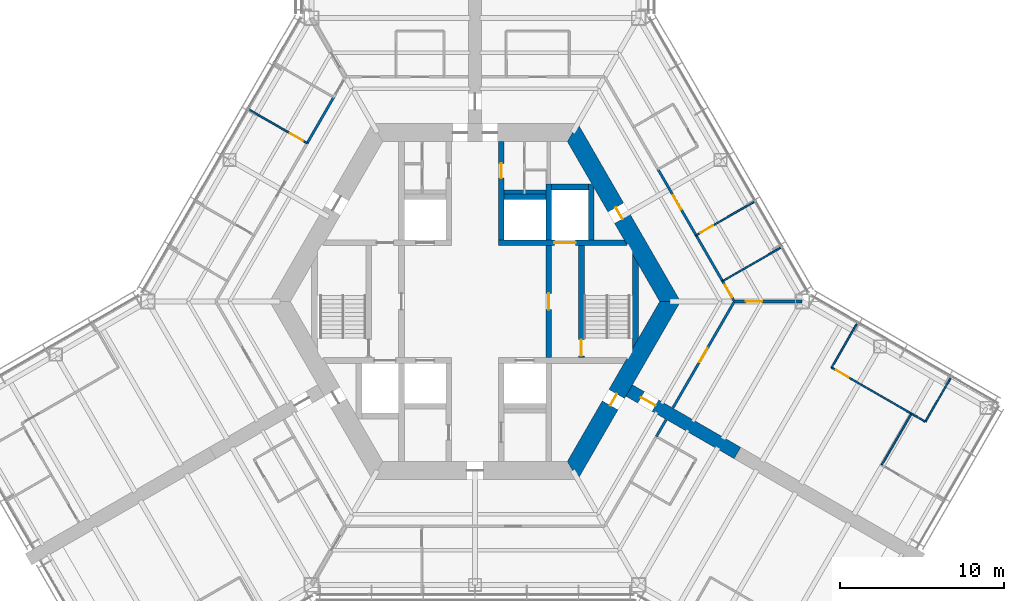
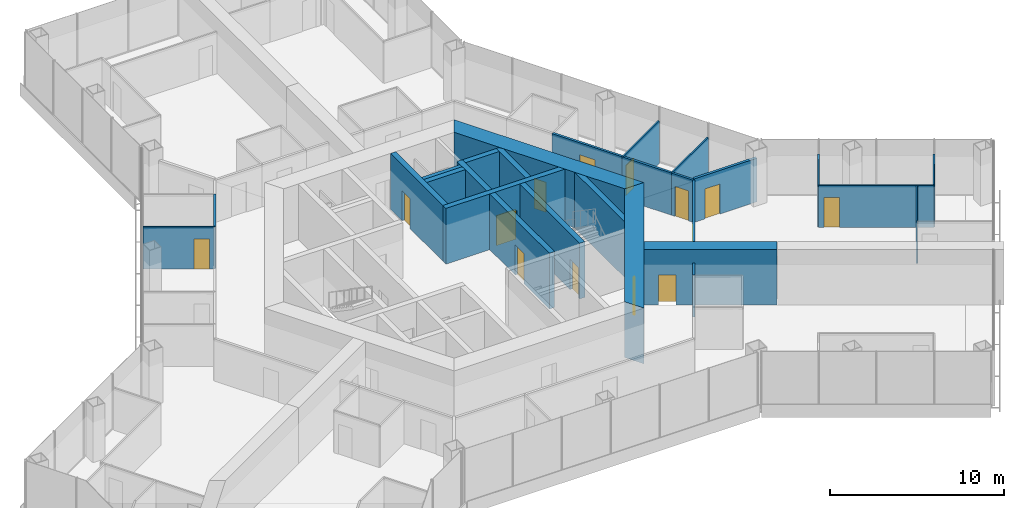
# One storey, part 14 of 19: 28 walls, 14 doors, 14 openings.
"""IFC4 building model written with IfcOpenShell, lengths in metres."""

from ifc_helpers import new_model, si_unit, direction, frame, frame_2d, origin, place, context, subcontext, project, spatial, polyline, rectangle, outline, extrude, material, layer, layer_set, type_object, element, fill, save


model = new_model("IFC4")

# Units and contexts
model_context = context("Model", 3, precision=1e-05, world=origin(), true_north=direction((0.0, 1.0)))
body_context = subcontext(model_context, "Body", "Model", "MODEL_VIEW")
ifc_project = project(units=[si_unit("LENGTHUNIT", "METRE"), si_unit("AREAUNIT", "SQUARE_METRE"), si_unit("VOLUMEUNIT", "CUBIC_METRE"), si_unit("PLANEANGLEUNIT", "RADIAN"), si_unit("MASSUNIT", "GRAM", prefix="KILO")], contexts=[model_context])

# Site, building, storey
site_placement = place(None, origin())
site = spatial("IfcSite", under=ifc_project, at=site_placement, CompositionType="ELEMENT")
building_placement = place(site_placement, origin())
building = spatial("IfcBuilding", under=site, at=building_placement, Name="Kasaneha Research Tower", CompositionType="ELEMENT")
storey_placement = place(building_placement, frame((0.0, 0.0, 96.300048828125)))
storey = spatial("IfcBuildingStorey", under=building, at=storey_placement, Name="L24", CompositionType="ELEMENT", Elevation=96.300048828125)

# Wall, opening, door
ifc_material_1 = material(Name="Concrete Fc80", Category="concrete")
ifc_layer_1 = layer(ifc_material_1, 0.35009765625)
ifc_layer_set_1 = layer_set([ifc_layer_1], Name="Core internal wall 350 Fc80")
wall_type_1 = type_object("IfcWallType", Name="Core internal wall 350 Fc80", PredefinedType="SHEAR", material=ifc_layer_set_1)
wall_1_placement = place(storey_placement, frame((1.425048828125, 3.60009765625, 0.0), z_axis=(0.0, 0.0, 1.0), x_axis=(1.0, 0.0, 0.0)))
wall_1 = element("IfcWall", 1, at=wall_1_placement, inside=storey, type_object=wall_type_1, Name="Core wall W1E L24", PredefinedType="SHEAR", context=body_context, shape_type="SweptSolid", body=[
    extrude(outline(polyline([(0.0, -0.175048828125), (3.425048828125, -0.175048828125), (4.72509765625, -0.175048828125), (7.884765625, -0.175048828125), (7.6826171875, 0.175048828125), (4.72509765625, 0.175048828125), (3.425048828125, 0.175048828125), (0.0, 0.175048828125), (0.0, -0.175048828125)])), origin(), (0.0, 0.0, 1.0), 3.89990234375),
])
opening_1_placement = place(wall_1_placement, frame((3.425048828125, 0.0, 0.0)))
opening_1 = element("IfcOpeningElement", 2, at=opening_1_placement, cuts=wall_1, Name="Opening LD-FL1-L24", PredefinedType="OPENING", context=body_context, shape_type="SweptSolid", body=[
    extrude(rectangle(XDim=1.300048828125, YDim=2.10009765625, at=frame_2d((0.64990234375, 1.050048828125))), frame((0.0, 0.18505859375, 0.0), z_axis=(0.0, -1.0, 0.0), x_axis=(1.0, 0.0, 0.0)), (0.0, 0.0, 1.0), 0.3701171875),
])
ifc_material_2 = material(Name="Steel", Category="steel")
door_type_1 = type_object("IfcDoorType", Name="Lift landing door 1300x2100", OperationType="DOUBLE_DOOR_SLIDING", PredefinedType="DOOR", material=ifc_material_2)
door_1_placement = place(opening_1_placement, origin())
door_1 = element("IfcDoor", 3, at=door_1_placement, inside=storey, type_object=door_type_1, Name="Landing door FL1 LD-FL1-L24", OperationType="DOUBLE_DOOR_SLIDING", OverallHeight=2.10009765625, OverallWidth=1.300048828125, PredefinedType="DOOR", context=body_context, shape_type="SweptSolid", body=[
    extrude(rectangle(XDim=1.300048828125, YDim=2.10009765625, at=frame_2d((0.64990234375, 1.050048828125))), frame((0.0, 0.02490234375, 0.0), z_axis=(0.0, -1.0, 0.0), x_axis=(1.0, 0.0, 0.0)), (0.0, 0.0, 1.0), 0.050048828125),
])
fill(opening_1, door_1)

wall_2_placement = place(storey_placement, frame((1.60009765625, 3.77490234375, 0.0), z_axis=(0.0, 0.0, 1.0), x_axis=(0.0, 1.0, 0.0)))
wall_2 = element("IfcWall", 4, at=wall_2_placement, inside=storey, type_object=wall_type_1, Name="Core wall CNE L24", PredefinedType="SHEAR", context=body_context, shape_type="SweptSolid", body=[
    extrude(rectangle(XDim=6.0, YDim=0.35009765625, at=frame_2d((3.0, 0.0))), origin(), (0.0, 0.0, 1.0), 3.89990234375),
])
opening_2_placement = place(wall_2_placement, frame((3.77490234375, 0.0, 0.0)))
opening_2 = element("IfcOpeningElement", 5, at=opening_2_placement, cuts=wall_2, Name="Opening L24-D14", PredefinedType="OPENING", context=body_context, shape_type="SweptSolid", body=[
    extrude(rectangle(XDim=0.89990234375, YDim=2.10009765625, at=frame_2d((0.449951171875, 1.050048828125))), frame((0.0, 0.18505859375, 0.0), z_axis=(0.0, -1.0, 0.0), x_axis=(1.0, 0.0, 0.0)), (0.0, 0.0, 1.0), 0.3701171875),
])
ifc_material_3 = material(Name="Steel", Category="steel")
door_type_2 = type_object("IfcDoorType", Name="Toilet door FD20 900x2100", OperationType="NOTDEFINED", PredefinedType="DOOR", material=ifc_material_3)
door_2_placement = place(opening_2_placement, origin())
door_2 = element("IfcDoor", 6, at=door_2_placement, inside=storey, type_object=door_type_2, Name="Women's WC door L24-D14", OperationType="SINGLE_SWING_LEFT", OverallHeight=2.10009765625, OverallWidth=0.89990234375, PredefinedType="DOOR", context=body_context, shape_type="SweptSolid", body=[
    extrude(rectangle(XDim=0.89990234375, YDim=2.10009765625, at=frame_2d((0.449951171875, 1.050048828125))), frame((0.0, 0.02490234375, 0.0), z_axis=(0.0, -1.0, 0.0), x_axis=(1.0, 0.0, 0.0)), (0.0, 0.0, 1.0), 0.050048828125),
])
fill(opening_2, door_2)

wall_3_placement = place(storey_placement, frame((4.5, -3.425048828125, 0.0), z_axis=(0.0, 0.0, 1.0), x_axis=(0.0, 1.0, 0.0)))
wall_3 = element("IfcWall", 7, at=wall_3_placement, inside=storey, type_object=wall_type_1, Name="Core wall LBE L24", PredefinedType="SHEAR", context=body_context, shape_type="SweptSolid", body=[
    extrude(rectangle(XDim=6.85009765625, YDim=0.35009765625, at=frame_2d((3.425048828125, 0.0))), origin(), (0.0, 0.0, 1.0), 3.89990234375),
])
opening_3_placement = place(wall_3_placement, frame((2.925048828125, 0.0, 0.0)))
opening_3 = element("IfcOpeningElement", 8, at=opening_3_placement, cuts=wall_3, Name="Opening L24-D08", PredefinedType="OPENING", context=body_context, shape_type="SweptSolid", body=[
    extrude(rectangle(XDim=1.0, YDim=2.10009765625, at=frame_2d((0.5, 1.050048828125))), frame((0.0, 0.18505859375, 0.0), z_axis=(0.0, -1.0, 0.0), x_axis=(1.0, 0.0, 0.0)), (0.0, 0.0, 1.0), 0.3701171875),
])
ifc_material_4 = material(Name="Steel", Category="steel")
door_type_3 = type_object("IfcDoorType", Name="Specified fire door FD60 1000x2100", OperationType="NOTDEFINED", PredefinedType="DOOR", material=ifc_material_4)
door_3_placement = place(opening_3_placement, origin())
door_3 = element("IfcDoor", 9, at=door_3_placement, inside=storey, type_object=door_type_3, Name="Lift lobby door east L24-D08", OperationType="SINGLE_SWING_LEFT", OverallHeight=2.10009765625, OverallWidth=1.0, PredefinedType="DOOR", context=body_context, shape_type="SweptSolid", body=[
    extrude(rectangle(XDim=1.0, YDim=2.10009765625, at=frame_2d((0.5, 1.050048828125))), frame((0.0, 0.02490234375, 0.0), z_axis=(0.0, -1.0, 0.0), x_axis=(1.0, 0.0, 0.0)), (0.0, 0.0, 1.0), 0.050048828125),
])
fill(opening_3, door_3)

wall_4_placement = place(storey_placement, frame((6.5, -3.425048828125, 0.0), z_axis=(0.0, 0.0, 1.0), x_axis=(0.0, 1.0, 0.0)))
wall_4 = element("IfcWall", 10, at=wall_4_placement, inside=storey, type_object=wall_type_1, Name="Core wall ANE L24", PredefinedType="SHEAR", context=body_context, shape_type="SweptSolid", body=[
    extrude(rectangle(XDim=6.85009765625, YDim=0.35009765625, at=frame_2d((3.425048828125, 0.0))), origin(), (0.0, 0.0, 1.0), 3.89990234375),
])
opening_4_placement = place(wall_4_placement, frame((0.10009765625, 0.0, 0.0)))
opening_4 = element("IfcOpeningElement", 11, at=opening_4_placement, cuts=wall_4, Name="Opening L24-D10", PredefinedType="OPENING", context=body_context, shape_type="SweptSolid", body=[
    extrude(rectangle(XDim=1.0, YDim=2.10009765625, at=frame_2d((0.5, 1.050048828125))), frame((0.0, 0.18505859375, 0.0), z_axis=(0.0, -1.0, 0.0), x_axis=(1.0, 0.0, 0.0)), (0.0, 0.0, 1.0), 0.3701171875),
])
door_4_placement = place(opening_4_placement, origin())
door_4 = element("IfcDoor", 12, at=door_4_placement, inside=storey, type_object=door_type_3, Name="Stair 1 door L24-D10", OperationType="SINGLE_SWING_LEFT", OverallHeight=2.10009765625, OverallWidth=1.0, PredefinedType="DOOR", context=body_context, shape_type="SweptSolid", body=[
    extrude(rectangle(XDim=1.0, YDim=2.10009765625, at=frame_2d((0.5, 1.050048828125))), frame((0.0, 0.02490234375, 0.0), z_axis=(0.0, -1.0, 0.0), x_axis=(1.0, 0.0, 0.0)), (0.0, 0.0, 1.0), 0.050048828125),
])
fill(opening_4, door_4)

# Walls
wall_5_placement = place(storey_placement, frame((4.5, 3.77490234375, 0.0), z_axis=(0.0, 0.0, 1.0), x_axis=(0.0, 1.0, 0.0)))
element("IfcWall", 13, at=wall_5_placement, inside=storey, type_object=wall_type_1, Name="Core wall FNE L24", PredefinedType="SHEAR", context=body_context, shape_type="SweptSolid", body=[
    extrude(rectangle(XDim=3.400146484375, YDim=0.35009765625, at=frame_2d((1.7001953125, 0.0))), origin(), (0.0, 0.0, 1.0), 3.89990234375),
])
wall_6_placement = place(storey_placement, frame((1.77490234375, 6.39990234375, 0.0), z_axis=(0.0, 0.0, 1.0), x_axis=(1.0, 0.0, 0.0)))
element("IfcWall", 14, at=wall_6_placement, inside=storey, type_object=wall_type_1, Name="Core wall N3N L24", PredefinedType="SHEAR", context=body_context, shape_type="SweptSolid", body=[
    extrude(rectangle(XDim=2.550048828125, YDim=0.35009765625, at=frame_2d((1.27490234375, 0.0))), origin(), (0.0, 0.0, 1.0), 3.89990234375),
])
wall_7_placement = place(storey_placement, frame((4.675048828125, 7.0, 0.0), z_axis=(0.0, 0.0, 1.0), x_axis=(1.0, 0.0, 0.0)))
element("IfcWall", 15, at=wall_7_placement, inside=storey, type_object=wall_type_1, Name="Core wall F1N L24", PredefinedType="SHEAR", context=body_context, shape_type="SweptSolid", body=[
    extrude(rectangle(XDim=2.25, YDim=0.35009765625, at=frame_2d((1.125, 0.0))), origin(), (0.0, 0.0, 1.0), 3.89990234375),
])
wall_8_placement = place(storey_placement, frame((7.10009765625, 3.77490234375, 0.0), z_axis=(0.0, 0.0, 1.0), x_axis=(0.0, 1.0, 0.0)))
element("IfcWall", 16, at=wall_8_placement, inside=storey, type_object=wall_type_1, Name="Core wall F1E L24", PredefinedType="SHEAR", context=body_context, shape_type="SweptSolid", body=[
    extrude(outline(polyline([(0.0, -0.175048828125), (3.174560546875, -0.175048828125), (3.400146484375, 0.0), (3.400146484375, 0.175048828125), (0.0, 0.175048828125), (0.0, -0.175048828125)])), origin(), (0.0, 0.0, 1.0), 3.89990234375),
])
wall_9_placement = place(storey_placement, frame((9.807861328125, -2.562255859375, 0.0), z_axis=(0.0, 0.0, 1.0), x_axis=(0.0, 1.0, 0.0)))
element("IfcWall", 17, at=wall_9_placement, inside=storey, type_object=wall_type_1, Name="Core wall STE L24", PredefinedType="SHEAR", context=body_context, shape_type="SweptSolid", body=[
    extrude(outline(polyline([(0.30322265625, -0.175048828125), (4.8212890625, -0.175048828125), (5.427734375, 0.175048828125), (-0.30322265625, 0.175048828125), (0.30322265625, -0.175048828125)])), origin(), (0.0, 0.0, 1.0), 3.89990234375),
])

# Wall, opening, door
ifc_material_5 = material(Name="Concrete Fc80", Category="concrete")
ifc_layer_2 = layer(ifc_material_5, 1.10009765625)
ifc_layer_set_2 = layer_set([ifc_layer_2], Name="Core wall 1100 Fc80")
wall_type_2 = type_object("IfcWallType", Name="Core wall 1100 Fc80", PredefinedType="SHEAR", material=ifc_layer_set_2)
wall_10_placement = place(storey_placement, frame((11.92236328125, 0.0, 0.0), z_axis=(0.0, 0.0, 1.0), x_axis=(-0.500004296715, 0.866022923061, 0.0)))
wall_10 = element("IfcWall", 18, at=wall_10_placement, inside=storey, type_object=wall_type_2, Name="Core wall 030 L24", PredefinedType="SHEAR", context=body_context, shape_type="SweptSolid", body=[
    extrude(outline(polyline([(-0.317626953125, -0.550048828125), (5.83544921875, -0.550048828125), (6.635498046875, -0.550048828125), (12.239990234375, -0.550048828125), (11.604736328125, 0.550048828125), (6.635498046875, 0.550048828125), (5.83544921875, 0.550048828125), (0.317626953125, 0.550048828125), (-0.317626953125, -0.550048828125)])), origin(), (0.0, 0.0, 1.0), 3.89990234375),
])
opening_5_placement = place(wall_10_placement, frame((5.83544921875, 0.0, 0.0)))
opening_5 = element("IfcOpeningElement", 19, at=opening_5_placement, cuts=wall_10, Name="Opening L24-D04", PredefinedType="OPENING", context=body_context, shape_type="SweptSolid", body=[
    extrude(rectangle(XDim=0.800048828125, YDim=2.10009765625, at=frame_2d((0.39990234375, 1.050048828125))), frame((0.0, 0.56005859375, 0.0), z_axis=(0.0, -1.0, 0.0), x_axis=(1.0, 0.0, 0.0)), (0.0, 0.0, 1.0), 1.1201171875),
])
ifc_material_6 = material(Name="Steel", Category="steel")
door_type_4 = type_object("IfcDoorType", Name="Riser access door FD60 800x2100", OperationType="NOTDEFINED", PredefinedType="DOOR", material=ifc_material_6)
door_5_placement = place(opening_5_placement, origin())
door_5 = element("IfcDoor", 20, at=door_5_placement, inside=storey, type_object=door_type_4, Name="Pipe riser door L24-D04", OperationType="SINGLE_SWING_RIGHT", OverallHeight=2.10009765625, OverallWidth=0.800048828125, PredefinedType="DOOR", context=body_context, shape_type="SweptSolid", body=[
    extrude(rectangle(XDim=0.800048828125, YDim=2.10009765625, at=frame_2d((0.39990234375, 1.050048828125))), frame((0.0, 0.02490234375, 0.0), z_axis=(0.0, -1.0, 0.0), x_axis=(1.0, 0.0, 0.0)), (0.0, 0.0, 1.0), 0.050048828125),
])
fill(opening_5, door_5)

wall_11_placement = place(storey_placement, frame((5.961181640625, -10.324951171875, 0.0), z_axis=(0.0, 0.0, 1.0), x_axis=(0.500004296715, 0.866022923061, 0.0)))
wall_11 = element("IfcWall", 21, at=wall_11_placement, inside=storey, type_object=wall_type_2, Name="Core wall 330 L24", PredefinedType="SHEAR", context=body_context, shape_type="SweptSolid", body=[
    extrude(outline(polyline([(-0.317626953125, -0.550048828125), (4.593994140625, -0.550048828125), (5.39404296875, -0.550048828125), (12.239990234375, -0.550048828125), (11.604736328125, 0.550048828125), (5.39404296875, 0.550048828125), (4.593994140625, 0.550048828125), (0.317626953125, 0.550048828125), (-0.317626953125, -0.550048828125)])), origin(), (0.0, 0.0, 1.0), 3.89990234375),
])
opening_6_placement = place(wall_11_placement, frame((4.593994140625, 0.0, 0.0)))
opening_6 = element("IfcOpeningElement", 22, at=opening_6_placement, cuts=wall_11, Name="Opening L24-D05", PredefinedType="OPENING", context=body_context, shape_type="SweptSolid", body=[
    extrude(rectangle(XDim=0.800048828125, YDim=2.10009765625, at=frame_2d((0.39990234375, 1.050048828125))), frame((0.0, 0.56005859375, 0.0), z_axis=(0.0, -1.0, 0.0), x_axis=(1.0, 0.0, 0.0)), (0.0, 0.0, 1.0), 1.1201171875),
])
door_6_placement = place(opening_6_placement, origin())
door_6 = element("IfcDoor", 23, at=door_6_placement, inside=storey, type_object=door_type_4, Name="Pipe riser door L24-D05", OperationType="SINGLE_SWING_LEFT", OverallHeight=2.10009765625, OverallWidth=0.800048828125, PredefinedType="DOOR", context=body_context, shape_type="SweptSolid", body=[
    extrude(rectangle(XDim=0.800048828125, YDim=2.10009765625, at=frame_2d((0.39990234375, 1.050048828125))), frame((0.0, 0.02490234375, 0.0), z_axis=(0.0, -1.0, 0.0), x_axis=(1.0, 0.0, 0.0)), (0.0, 0.0, 1.0), 0.050048828125),
])
fill(opening_6, door_6)

# Wall
ifc_material_7 = material(Name="Gypsum board on steel studs, one layer each side", Category="steel")
ifc_layer_3 = layer(ifc_material_7, 0.10009765625)
ifc_layer_set_3 = layer_set([ifc_layer_3], Name="Office partition 100")
wall_type_3 = type_object("IfcWallType", Name="Office partition 100", PredefinedType="PARTITIONING", material=ifc_layer_set_3)
wall_12_placement = place(storey_placement, frame((18.662109375, 3.27734375, 0.0), z_axis=(0.0, 0.0, 1.0), x_axis=(-0.866635015839, -0.498942631293, 0.0)))
element("IfcWall", 24, at=wall_12_placement, inside=storey, type_object=wall_type_3, Name="Office partition FAE21 L24", PredefinedType="PARTITIONING", context=body_context, shape_type="SweptSolid", body=[
    extrude(rectangle(XDim=4.075439453125, YDim=0.10009765625, at=frame_2d((2.03759765625, 0.0))), origin(), (0.0, 0.0, 1.0), 2.949951171875),
])

# Wall, opening, door
wall_13_placement = place(storey_placement, frame((13.51171875, 4.047119140625, 0.0), z_axis=(0.0, 0.0, 1.0), x_axis=(0.865456213931, 0.500984572385, 0.0)))
wall_13 = element("IfcWall", 25, at=wall_13_placement, inside=storey, type_object=wall_type_3, Name="Office partition FAE22 L24", PredefinedType="PARTITIONING", context=body_context, shape_type="SweptSolid", body=[
    extrude(rectangle(XDim=4.095458984375, YDim=0.10009765625, at=frame_2d((2.0478515625, 0.0))), origin(), (0.0, 0.0, 1.0), 2.949951171875),
])
opening_7_placement = place(wall_13_placement, frame((0.300048828125, 0.0, 0.0)))
opening_7 = element("IfcOpeningElement", 26, at=opening_7_placement, cuts=wall_13, Name="Opening L24-D34", PredefinedType="OPENING", context=body_context, shape_type="SweptSolid", body=[
    extrude(rectangle(XDim=0.89990234375, YDim=2.10009765625, at=frame_2d((0.449951171875, 1.050048828125))), frame((0.0, 0.06005859375, 0.0), z_axis=(0.0, -1.0, 0.0), x_axis=(1.0, 0.0, 0.0)), (0.0, 0.0, 1.0), 0.1201171875),
])
ifc_material_8 = material(Name="Timber veneer", Category="wood")
door_type_5 = type_object("IfcDoorType", Name="Office door 900x2100", OperationType="SINGLE_SWING_LEFT", PredefinedType="DOOR", material=ifc_material_8)
door_7_placement = place(opening_7_placement, origin())
door_7 = element("IfcDoor", 27, at=door_7_placement, inside=storey, type_object=door_type_5, Name="Reception room door L24-D34", OperationType="SINGLE_SWING_LEFT", OverallHeight=2.10009765625, OverallWidth=0.89990234375, PredefinedType="DOOR", context=body_context, shape_type="SweptSolid", body=[
    extrude(rectangle(XDim=0.89990234375, YDim=2.10009765625, at=frame_2d((0.449951171875, 1.050048828125))), frame((0.0, 0.02490234375, 0.0), z_axis=(0.0, -1.0, 0.0), x_axis=(1.0, 0.0, 0.0)), (0.0, 0.0, 1.0), 0.050048828125),
])
fill(opening_7, door_7)

wall_14_placement = place(storey_placement, frame((-10.2607421875, 9.677734375, 0.0), z_axis=(0.0, 0.0, 1.0), x_axis=(-0.866571988865, 0.499052089581, 0.0)))
wall_14 = element("IfcWall", 28, at=wall_14_placement, inside=storey, type_object=wall_type_3, Name="Office partition FBN16 L24", PredefinedType="PARTITIONING", context=body_context, shape_type="SweptSolid", body=[
    extrude(rectangle(XDim=4.12060546875, YDim=0.10009765625, at=frame_2d((2.060302734375, 0.0))), origin(), (0.0, 0.0, 1.0), 2.949951171875),
])
opening_8_placement = place(wall_14_placement, frame((0.300048828125, 0.0, 0.0)))
opening_8 = element("IfcOpeningElement", 29, at=opening_8_placement, cuts=wall_14, Name="Opening L24-D46", PredefinedType="OPENING", context=body_context, shape_type="SweptSolid", body=[
    extrude(rectangle(XDim=0.89990234375, YDim=2.10009765625, at=frame_2d((0.449951171875, 1.050048828125))), frame((0.0, 0.06005859375, 0.0), z_axis=(0.0, -1.0, 0.0), x_axis=(1.0, 0.0, 0.0)), (0.0, 0.0, 1.0), 0.1201171875),
])
door_8_placement = place(opening_8_placement, origin())
door_8 = element("IfcDoor", 30, at=door_8_placement, inside=storey, type_object=door_type_5, Name="Project room door L24-D46", OperationType="SINGLE_SWING_LEFT", OverallHeight=2.10009765625, OverallWidth=0.89990234375, PredefinedType="DOOR", context=body_context, shape_type="SweptSolid", body=[
    extrude(rectangle(XDim=0.89990234375, YDim=2.10009765625, at=frame_2d((0.449951171875, 1.050048828125))), frame((0.0, 0.02490234375, 0.0), z_axis=(0.0, -1.0, 0.0), x_axis=(1.0, 0.0, 0.0)), (0.0, 0.0, 1.0), 0.050048828125),
])
fill(opening_8, door_8)

# Walls
wall_15_placement = place(storey_placement, frame((27.52490234375, -7.3466796875, 0.0), z_axis=(0.0, 0.0, 1.0), x_axis=(-0.866030338286, 0.499991453095, 0.0)))
element("IfcWall", 31, at=wall_15_placement, inside=storey, type_object=wall_type_3, Name="Office partition FCE02 L24", PredefinedType="PARTITIONING", context=body_context, shape_type="SweptSolid", body=[
    extrude(rectangle(XDim=0.9951171875, YDim=0.10009765625, at=frame_2d((0.49755859375, 0.0))), origin(), (0.0, 0.0, 1.0), 2.949951171875),
])
wall_16_placement = place(storey_placement, frame((29.0625, -4.68359375, 0.0), z_axis=(0.0, 0.0, 1.0), x_axis=(-0.500015675843, -0.866016353143, 0.0)))
element("IfcWall", 32, at=wall_16_placement, inside=storey, type_object=wall_type_3, Name="Office partition FCE03 L24", PredefinedType="PARTITIONING", context=body_context, shape_type="SweptSolid", body=[
    extrude(rectangle(XDim=3.0751953125, YDim=0.10009765625, at=frame_2d((1.53759765625, 0.0))), origin(), (0.0, 0.0, 1.0), 2.949951171875),
])
wall_17_placement = place(storey_placement, frame((21.792236328125, -4.037109375, 0.0), z_axis=(0.0, 0.0, 1.0), x_axis=(0.499992328818, 0.866029832698, 0.0)))
element("IfcWall", 33, at=wall_17_placement, inside=storey, type_object=wall_type_3, Name="Office partition FCE04 L24", PredefinedType="PARTITIONING", context=body_context, shape_type="SweptSolid", body=[
    extrude(rectangle(XDim=3.080078125, YDim=0.10009765625, at=frame_2d((1.5400390625, 0.0))), origin(), (0.0, 0.0, 1.0), 2.949951171875),
])

# Wall, opening, door
wall_18_placement = place(storey_placement, frame((26.67138671875, -6.85400390625, 0.0), z_axis=(0.0, 0.0, 1.0), x_axis=(-0.8660318798, 0.499988783044, 0.0)))
wall_18 = element("IfcWall", 34, at=wall_18_placement, inside=storey, type_object=wall_type_3, Name="Office partition FCE05 L24", PredefinedType="PARTITIONING", context=body_context, shape_type="SweptSolid", body=[
    extrude(rectangle(XDim=5.634033203125, YDim=0.10009765625, at=frame_2d((2.81689453125, 0.0))), origin(), (0.0, 0.0, 1.0), 2.949951171875),
])
opening_9_placement = place(wall_18_placement, frame((4.433837890625, 0.0, 0.0)))
opening_9 = element("IfcOpeningElement", 35, at=opening_9_placement, cuts=wall_18, Name="Opening L24-D51", PredefinedType="OPENING", context=body_context, shape_type="SweptSolid", body=[
    extrude(rectangle(XDim=0.89990234375, YDim=2.10009765625, at=frame_2d((0.449951171875, 1.050048828125))), frame((0.0, 0.06005859375, 0.0), z_axis=(0.0, -1.0, 0.0), x_axis=(1.0, 0.0, 0.0)), (0.0, 0.0, 1.0), 0.1201171875),
])
door_9_placement = place(opening_9_placement, origin())
door_9 = element("IfcDoor", 36, at=door_9_placement, inside=storey, type_object=door_type_5, Name="Manager's office door L24-D51", OperationType="SINGLE_SWING_RIGHT", OverallHeight=2.10009765625, OverallWidth=0.89990234375, PredefinedType="DOOR", context=body_context, shape_type="SweptSolid", body=[
    extrude(rectangle(XDim=0.89990234375, YDim=2.10009765625, at=frame_2d((0.449951171875, 1.050048828125))), frame((0.0, 0.02490234375, 0.0), z_axis=(0.0, -1.0, 0.0), x_axis=(1.0, 0.0, 0.0)), (0.0, 0.0, 1.0), 0.050048828125),
])
fill(opening_9, door_9)

# Wall
wall_19_placement = place(storey_placement, frame((24.850830078125, -9.998291015625, 0.0), z_axis=(0.0, 0.0, 1.0), x_axis=(0.501073352817, 0.865404815735, 0.0)))
element("IfcWall", 37, at=wall_19_placement, inside=storey, type_object=wall_type_3, Name="Office partition FCE06 L24", PredefinedType="PARTITIONING", context=body_context, shape_type="SweptSolid", body=[
    extrude(rectangle(XDim=3.63330078125, YDim=0.10009765625, at=frame_2d((1.816650390625, 0.0))), origin(), (0.0, 0.0, 1.0), 2.949951171875),
])

# Wall, opening, door
ifc_material_9 = material(Name="Concrete Fc80", Category="concrete")
ifc_layer_4 = layer(ifc_material_9, 0.800048828125)
ifc_layer_set_4 = layer_set([ifc_layer_4], Name="Spine wall 800 Fc80")
wall_type_4 = type_object("IfcWallType", Name="Spine wall 800 Fc80", PredefinedType="SHEAR", material=ifc_layer_set_4)
wall_20_placement = place(storey_placement, frame((9.41796875, -5.4375, 0.0), z_axis=(0.0, 0.0, 1.0), x_axis=(0.866029782078, -0.499992416496, 0.0)))
wall_20 = element("IfcWall", 38, at=wall_20_placement, inside=storey, type_object=wall_type_4, Name="Spine wall C L24", PredefinedType="SHEAR", context=body_context, shape_type="SweptSolid", body=[
    extrude(rectangle(XDim=7.6455078125, YDim=0.800048828125, at=frame_2d((3.82275390625, 0.0))), origin(), (0.0, 0.0, 1.0), 3.89990234375),
])
opening_10_placement = place(wall_20_placement, frame((0.85009765625, 0.0, 0.0)))
opening_10 = element("IfcOpeningElement", 39, at=opening_10_placement, cuts=wall_20, Name="Opening L24-D19", PredefinedType="OPENING", context=body_context, shape_type="SweptSolid", body=[
    extrude(rectangle(XDim=1.0, YDim=2.10009765625, at=frame_2d((0.5, 1.050048828125))), frame((0.0, 0.41015625, 0.0), z_axis=(0.0, -1.0, 0.0), x_axis=(1.0, 0.0, 0.0)), (0.0, 0.0, 1.0), 0.820068359375),
])
door_10_placement = place(opening_10_placement, origin())
door_10 = element("IfcDoor", 40, at=door_10_placement, inside=storey, type_object=door_type_3, Name="Spine doorway C L24-D19", OperationType="SINGLE_SWING_LEFT", OverallHeight=2.10009765625, OverallWidth=1.0, PredefinedType="DOOR", context=body_context, shape_type="SweptSolid", body=[
    extrude(rectangle(XDim=1.0, YDim=2.10009765625, at=frame_2d((0.5, 1.050048828125))), frame((0.0, 0.02490234375, 0.0), z_axis=(0.0, -1.0, 0.0), x_axis=(1.0, 0.0, 0.0)), (0.0, 0.0, 1.0), 0.050048828125),
])
fill(opening_10, door_10)

# Wall
ifc_material_10 = material(Name="Gypsum board on steel studs, two layers each side", Category="steel")
ifc_layer_5 = layer(ifc_material_10, 0.14990234375)
ifc_layer_set_5 = layer_set([ifc_layer_5], Name="Suite partition 150")
wall_type_5 = type_object("IfcWallType", Name="Suite partition 150", PredefinedType="PARTITIONING", material=ifc_layer_set_5)
wall_21_placement = place(storey_placement, frame((13.5068359375, 4.055419921875, 0.0), z_axis=(0.0, 0.0, 1.0), x_axis=(0.499969057507, -0.866043267704, 0.0)))
element("IfcWall", 41, at=wall_21_placement, inside=storey, type_object=wall_type_5, Name="Suite partition FAE03 L24", PredefinedType="PARTITIONING", context=body_context, shape_type="SweptSolid", body=[
    extrude(rectangle(XDim=3.256591796875, YDim=0.14990234375, at=frame_2d((1.62841796875, 0.0))), origin(), (0.0, 0.0, 1.0), 2.949951171875),
])

# Wall, opening, door
wall_22_placement = place(storey_placement, frame((15.130126953125, 1.243896484375, 0.0), z_axis=(0.0, 0.0, 1.0), x_axis=(0.499966713218, -0.866044621064, 0.0)))
wall_22 = element("IfcWall", 42, at=wall_22_placement, inside=storey, type_object=wall_type_5, Name="Suite partition FAE04 L24", PredefinedType="PARTITIONING", context=body_context, shape_type="SweptSolid", body=[
    extrude(rectangle(XDim=1.4130859375, YDim=0.14990234375, at=frame_2d((0.70654296875, 0.0))), origin(), (0.0, 0.0, 1.0), 2.949951171875),
])
opening_11_placement = place(wall_22_placement, frame((0.25, 0.0, 0.0)))
opening_11 = element("IfcOpeningElement", 43, at=opening_11_placement, cuts=wall_22, Name="Opening L24-D28", PredefinedType="OPENING", context=body_context, shape_type="SweptSolid", body=[
    extrude(rectangle(XDim=0.89990234375, YDim=2.10009765625, at=frame_2d((0.449951171875, 1.050048828125))), frame((0.0, 0.0849609375, 0.0), z_axis=(0.0, -1.0, 0.0), x_axis=(1.0, 0.0, 0.0)), (0.0, 0.0, 1.0), 0.169921875),
])
door_11_placement = place(opening_11_placement, origin())
door_11 = element("IfcDoor", 44, at=door_11_placement, inside=storey, type_object=door_type_5, Name="Workroom door L24-D28", OperationType="SINGLE_SWING_LEFT", OverallHeight=2.10009765625, OverallWidth=0.89990234375, PredefinedType="DOOR", context=body_context, shape_type="SweptSolid", body=[
    extrude(rectangle(XDim=0.89990234375, YDim=2.10009765625, at=frame_2d((0.449951171875, 1.050048828125))), frame((0.0, 0.02490234375, 0.0), z_axis=(0.0, -1.0, 0.0), x_axis=(1.0, 0.0, 0.0)), (0.0, 0.0, 1.0), 0.050048828125),
])
fill(opening_11, door_11)

wall_23_placement = place(storey_placement, frame((11.18408203125, 8.078857421875, 0.0), z_axis=(0.0, 0.0, 1.0), x_axis=(0.499985748238, -0.866033631887, 0.0)))
wall_23 = element("IfcWall", 45, at=wall_23_placement, inside=storey, type_object=wall_type_5, Name="Suite partition FAE08 L24", PredefinedType="PARTITIONING", context=body_context, shape_type="SweptSolid", body=[
    extrude(rectangle(XDim=4.655517578125, YDim=0.14990234375, at=frame_2d((2.32763671875, 0.0))), origin(), (0.0, 0.0, 1.0), 2.949951171875),
])
opening_12_placement = place(wall_23_placement, frame((1.82763671875, 0.0, 0.0)))
opening_12 = element("IfcOpeningElement", 46, at=opening_12_placement, cuts=wall_23, Name="Opening L24-D29", PredefinedType="OPENING", context=body_context, shape_type="SweptSolid", body=[
    extrude(rectangle(XDim=1.0, YDim=2.10009765625, at=frame_2d((0.5, 1.050048828125))), frame((0.0, 0.0849609375, 0.0), z_axis=(0.0, -1.0, 0.0), x_axis=(1.0, 0.0, 0.0)), (0.0, 0.0, 1.0), 0.169921875),
])
ifc_material_11 = material(Name="Steel", Category="steel")
door_type_6 = type_object("IfcDoorType", Name="Suite entrance door FD60 1000x2100", OperationType="NOTDEFINED", PredefinedType="DOOR", material=ifc_material_11)
door_12_placement = place(opening_12_placement, origin())
door_12 = element("IfcDoor", 47, at=door_12_placement, inside=storey, type_object=door_type_6, Name="Suite entrance door L24-D29", OperationType="SINGLE_SWING_LEFT", OverallHeight=2.10009765625, OverallWidth=1.0, PredefinedType="DOOR", context=body_context, shape_type="SweptSolid", body=[
    extrude(rectangle(XDim=1.0, YDim=2.10009765625, at=frame_2d((0.5, 1.050048828125))), frame((0.0, 0.02490234375, 0.0), z_axis=(0.0, -1.0, 0.0), x_axis=(1.0, 0.0, 0.0)), (0.0, 0.0, 1.0), 0.050048828125),
])
fill(opening_12, door_12)

# Wall
wall_24_placement = place(storey_placement, frame((-10.265380859375, 9.669677734375, 0.0), z_axis=(0.0, 0.0, 1.0), x_axis=(0.500001520505, 0.866024525919, 0.0)))
element("IfcWall", 48, at=wall_24_placement, inside=storey, type_object=wall_type_5, Name="Suite partition FBN02 L24", PredefinedType="PARTITIONING", context=body_context, shape_type="SweptSolid", body=[
    extrude(rectangle(XDim=3.25634765625, YDim=0.14990234375, at=frame_2d((1.628173828125, 0.0))), origin(), (0.0, 0.0, 1.0), 2.949951171875),
])

# Wall, opening, door
wall_25_placement = place(storey_placement, frame((15.836669921875, -0.02001953125, 0.0), z_axis=(0.0, 0.0, 1.0), x_axis=(-0.499996473158, -0.866027439998, 0.0)))
wall_25 = element("IfcWall", 49, at=wall_25_placement, inside=storey, type_object=wall_type_5, Name="Suite partition FCE01 L24", PredefinedType="PARTITIONING", context=body_context, shape_type="SweptSolid", body=[
    extrude(rectangle(XDim=7.48095703125, YDim=0.14990234375, at=frame_2d((3.740478515625, 0.0))), origin(), (0.0, 0.0, 1.0), 2.949951171875),
])
opening_13_placement = place(wall_25_placement, frame((3.240478515625, 0.0, 0.0)))
opening_13 = element("IfcOpeningElement", 50, at=opening_13_placement, cuts=wall_25, Name="Opening L24-D50", PredefinedType="OPENING", context=body_context, shape_type="SweptSolid", body=[
    extrude(rectangle(XDim=1.0, YDim=2.10009765625, at=frame_2d((0.5, 1.050048828125))), frame((0.0, 0.0849609375, 0.0), z_axis=(0.0, -1.0, 0.0), x_axis=(1.0, 0.0, 0.0)), (0.0, 0.0, 1.0), 0.169921875),
])
door_13_placement = place(opening_13_placement, origin())
door_13 = element("IfcDoor", 51, at=door_13_placement, inside=storey, type_object=door_type_6, Name="Suite entrance door L24-D50", OperationType="SINGLE_SWING_LEFT", OverallHeight=2.10009765625, OverallWidth=1.0, PredefinedType="DOOR", context=body_context, shape_type="SweptSolid", body=[
    extrude(rectangle(XDim=1.0, YDim=2.10009765625, at=frame_2d((0.5, 1.050048828125))), frame((0.0, 0.02490234375, 0.0), z_axis=(0.0, -1.0, 0.0), x_axis=(1.0, 0.0, 0.0)), (0.0, 0.0, 1.0), 0.050048828125),
])
fill(opening_13, door_13)

# Wall
wall_26_placement = place(storey_placement, frame((11.67626953125, -7.226318359375, 0.0), z_axis=(0.0, 0.0, 1.0), x_axis=(-0.500085263423, -0.865976171327, 0.0)))
element("IfcWall", 52, at=wall_26_placement, inside=storey, type_object=wall_type_5, Name="Suite partition FCS05 L24", PredefinedType="PARTITIONING", context=body_context, shape_type="SweptSolid", body=[
    extrude(rectangle(XDim=1.184326171875, YDim=0.14990234375, at=frame_2d((0.59228515625, 0.0))), origin(), (0.0, 0.0, 1.0), 2.949951171875),
])

# Wall, opening, door
ifc_material_12 = material(Name="Gypsum board on steel studs, two layers each side", Category="steel")
ifc_layer_6 = layer(ifc_material_12, 0.175048828125)
ifc_layer_set_6 = layer_set([ifc_layer_6], Name="Tenancy fire partition 175")
wall_type_6 = type_object("IfcWallType", Name="Tenancy fire partition 175", PredefinedType="PARTITIONING", material=ifc_layer_set_6)
wall_27_placement = place(storey_placement, frame((15.84814453125, 0.0, 0.0), z_axis=(0.0, 0.0, 1.0), x_axis=(1.0, 0.0, 0.0)))
wall_27 = element("IfcWall", 53, at=wall_27_placement, inside=storey, type_object=wall_type_6, Name="Tenancy fire partition T000 L24", PredefinedType="PARTITIONING", context=body_context, shape_type="SweptSolid", body=[
    extrude(rectangle(XDim=4.15185546875, YDim=0.175048828125, at=frame_2d((2.075927734375, 0.0))), origin(), (0.0, 0.0, 1.0), 3.050048828125),
])
opening_14_placement = place(wall_27_placement, frame((0.699951171875, 0.0, 0.0)))
opening_14 = element("IfcOpeningElement", 54, at=opening_14_placement, cuts=wall_27, Name="Opening L24-D24", PredefinedType="OPENING", context=body_context, shape_type="SweptSolid", body=[
    extrude(rectangle(XDim=1.0, YDim=2.10009765625, at=frame_2d((0.5, 1.050048828125))), frame((0.0, 0.09765625, 0.0), z_axis=(0.0, -1.0, 0.0), x_axis=(1.0, 0.0, 0.0)), (0.0, 0.0, 1.0), 0.195068359375),
])
door_14_placement = place(opening_14_placement, origin())
door_14 = element("IfcDoor", 55, at=door_14_placement, inside=storey, type_object=door_type_6, Name="Connecting door L24-D24", OperationType="SINGLE_SWING_LEFT", OverallHeight=2.10009765625, OverallWidth=1.0, PredefinedType="DOOR", context=body_context, shape_type="SweptSolid", body=[
    extrude(rectangle(XDim=1.0, YDim=2.10009765625, at=frame_2d((0.5, 1.050048828125))), frame((0.0, 0.02490234375, 0.0), z_axis=(0.0, -1.0, 0.0), x_axis=(1.0, 0.0, 0.0)), (0.0, 0.0, 1.0), 0.050048828125),
])
fill(opening_14, door_14)

# Wall
ifc_material_13 = material(Name="Concrete block lining", Category="concrete")
ifc_layer_7 = layer(ifc_material_13, 0.25)
ifc_layer_set_7 = layer_set([ifc_layer_7], Name="WC plumbing wall 250")
wall_type_7 = type_object("IfcWallType", Name="WC plumbing wall 250", PredefinedType="PLUMBINGWALL", material=ifc_layer_set_7)
wall_28_placement = place(storey_placement, frame((1.77490234375, 6.699951171875, 0.0), z_axis=(0.0, 0.0, 1.0), x_axis=(1.0, 0.0, 0.0)))
element("IfcWall", 56, at=wall_28_placement, inside=storey, type_object=wall_type_7, Name="WC plumbing wall F L24", PredefinedType="PLUMBINGWALL", context=body_context, shape_type="SweptSolid", body=[
    extrude(rectangle(XDim=2.550048828125, YDim=0.25, at=frame_2d((1.27490234375, 0.0))), origin(), (0.0, 0.0, 1.0), 3.89990234375),
])

save(model, "model.ifc")
